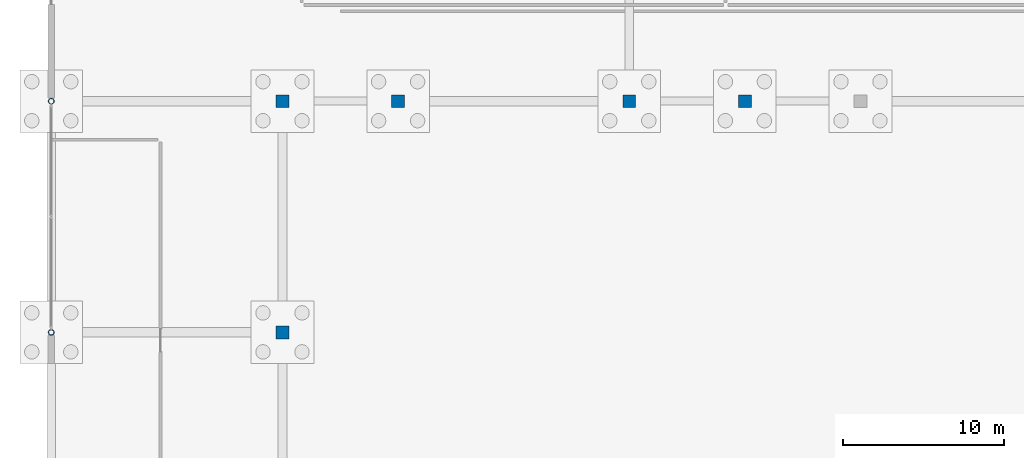
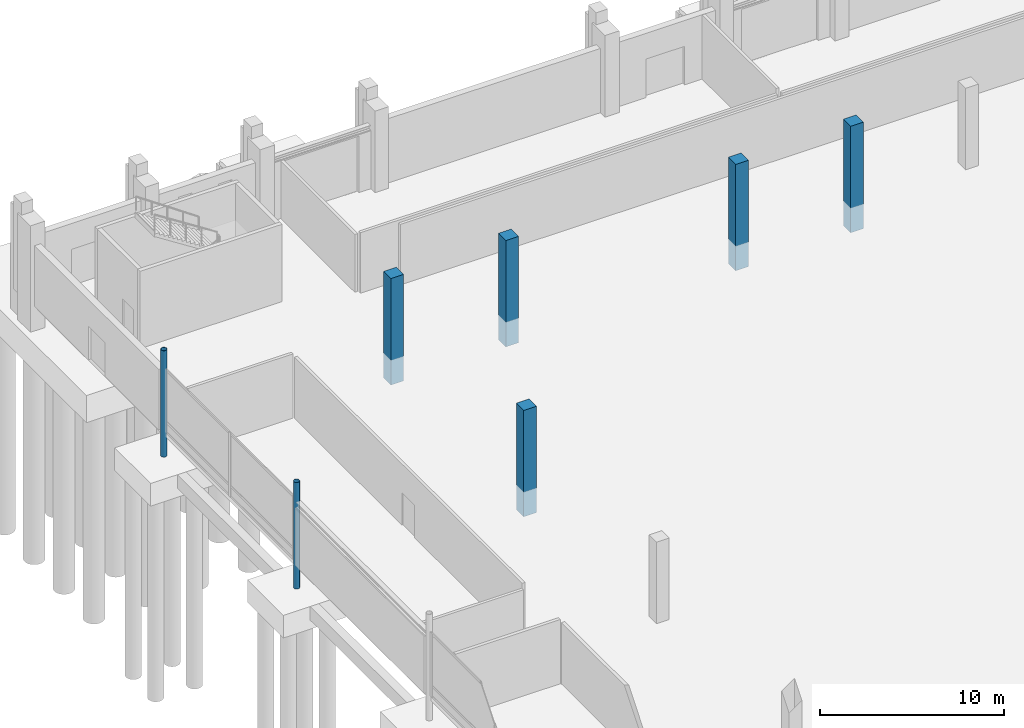
# One storey, part 13 of 192: 7 columns.
"""IFC4 building model written with IfcOpenShell, lengths in metres."""

from ifc_helpers import new_model, si_unit, direction, frame, origin, origin_2d, place, context, subcontext, project, spatial, rectangle, hollow_circle, extrude, material, material_profile, profile_set, type_object, element, save


model = new_model("IFC4")

# Units and contexts
model_context = context("Model", 3, precision=1e-05, world=origin(), true_north=direction((0.0, 1.0)))
body_context = subcontext(model_context, "Body", "Model", "MODEL_VIEW")
ifc_project = project(units=[si_unit("LENGTHUNIT", "METRE"), si_unit("AREAUNIT", "SQUARE_METRE"), si_unit("VOLUMEUNIT", "CUBIC_METRE"), si_unit("PLANEANGLEUNIT", "RADIAN"), si_unit("MASSUNIT", "GRAM", prefix="KILO")], contexts=[model_context])

# Site, building, storey
site_placement = place(None, origin())
site = spatial("IfcSite", under=ifc_project, at=site_placement, CompositionType="ELEMENT")
building_placement = place(site_placement, origin())
building = spatial("IfcBuilding", under=site, at=building_placement, Name="Cendralis Lancet Convention Centre", CompositionType="ELEMENT")
storey_placement = place(building_placement, origin())
storey = spatial("IfcBuildingStorey", under=building, at=storey_placement, Name="L00", CompositionType="ELEMENT", Elevation=0.0)

# Columns
ifc_material_1 = material(Name="Concrete G40 (C40/50)", Category="concrete")
ifc_material_profile_1 = material_profile(ifc_material_1, rectangle(XDim=0.800048828125, YDim=0.800048828125, at=origin_2d()), Name="RC 800x800")
ifc_profile_set_1 = profile_set([ifc_material_profile_1], Name="Concrete G40 (C40/50)")
column_type_1 = type_object("IfcColumnType", Name="STR-COL-C05-INT", PredefinedType="COLUMN", material=ifc_profile_set_1)
for number, where, z_axis, x_axis, name in (
    (1, (14.39990234375, 108.0, -1.64990234375), (0.0, 0.0, 1.0), (1.0, 0.0, 0.0), "L00 Column C05 at 14.4,108.0"),
    (2, (14.39990234375, 122.39990234375, -1.64990234375), (0.0, 0.0, 1.0), (1.0, 0.0, 0.0), "L00 Column C05 at 14.4,122.4"),
    (3, (21.60009765625, 122.39990234375, -1.64990234375), (0.0, 0.0, 1.0), (1.0, 0.0, 0.0), "L00 Column C05 at 21.6,122.4"),
    (4, (36.0, 122.39990234375, -1.64990234375), (0.0, 0.0, 1.0), (1.0, 0.0, 0.0), "L00 Column C05 at 36.0,122.4"),
    (5, (43.199951171875, 122.39990234375, -1.64990234375), (0.0, 0.0, 1.0), (1.0, 0.0, 0.0), "L00 Column C05 at 43.2,122.4"),
):
    element("IfcColumn", number, at=place(storey_placement, frame(where, z_axis=z_axis, x_axis=x_axis)), inside=storey, type_object=column_type_1, Name=name, PredefinedType="COLUMN", context=body_context, shape_type="SweptSolid", body=[
        extrude(rectangle(XDim=0.800048828125, YDim=0.800048828125, at=origin_2d()), origin(), (0.0, 0.0, 1.0), 7.0498046875),
    ])
ifc_material_2 = material(Name="Steel S355", Category="steel")
ifc_material_profile_2 = material_profile(ifc_material_2, hollow_circle(Radius=0.177734375, WallThickness=0.01611328125, at=origin_2d()), Name="CHS 355.6x16.0")
ifc_profile_set_2 = profile_set([ifc_material_profile_2], Name="Steel S355")
column_type_2 = type_object("IfcColumnType", Name="STR-COL-C28", PredefinedType="COLUMN", material=ifc_profile_set_2)
for number, where, z_axis, x_axis, name in (
    (6, (0.0, 108.0, -1.64990234375), (0.0, 0.0, 1.0), (1.0, 0.0, 0.0), "L00 Column C28 at 0.0,108.0"),
    (7, (0.0, 122.39990234375, -1.64990234375), (0.0, 0.0, 1.0), (1.0, 0.0, 0.0), "L00 Column C28 at 0.0,122.4"),
):
    element("IfcColumn", number, at=place(storey_placement, frame(where, z_axis=z_axis, x_axis=x_axis)), inside=storey, type_object=column_type_2, Name=name, PredefinedType="COLUMN", context=body_context, shape_type="SweptSolid", body=[
        extrude(hollow_circle(Radius=0.177734375, WallThickness=0.01611328125, at=origin_2d()), origin(), (0.0, 0.0, 1.0), 7.0498046875),
    ])

save(model, "model.ifc")
